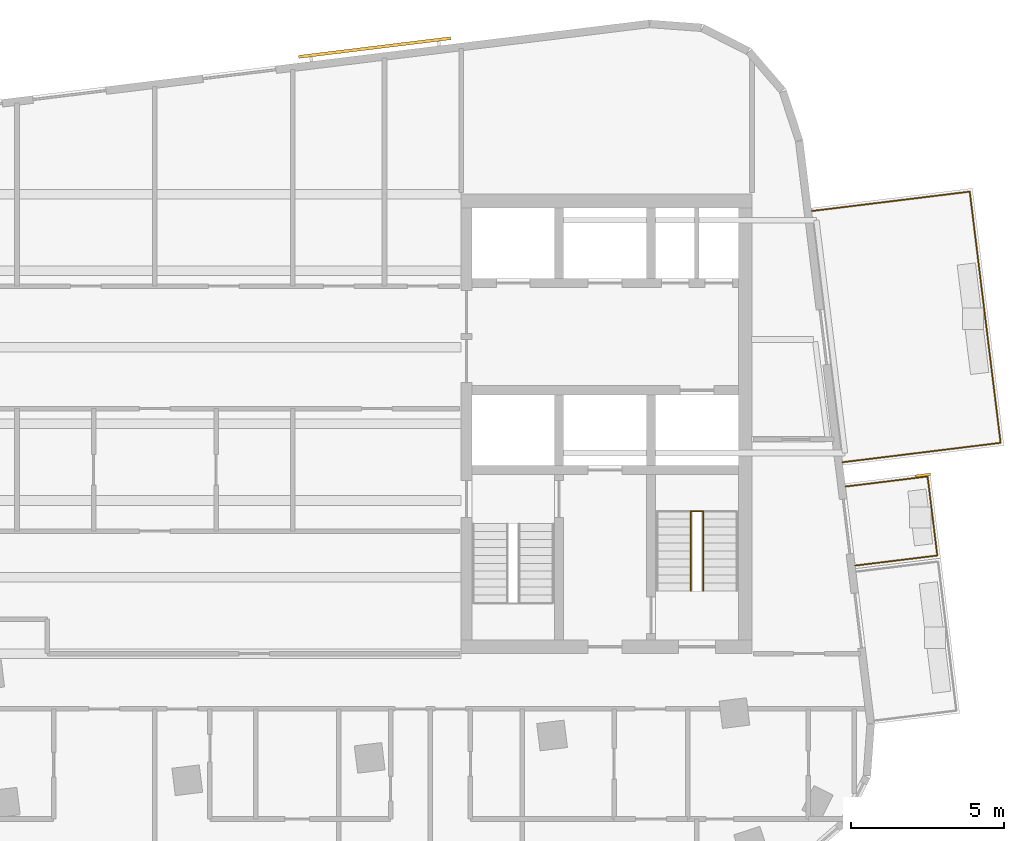
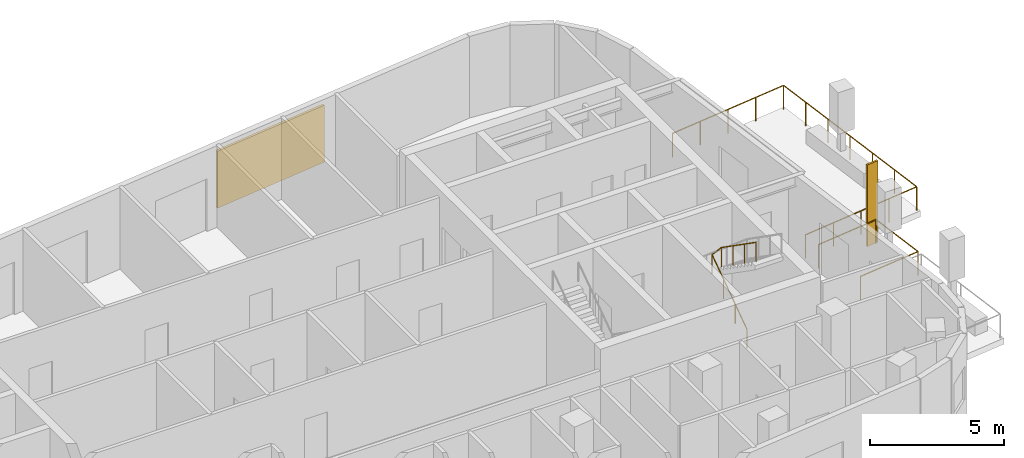
# One storey, part 10 of 11: 3 railings, 2 shading devices.
"""IFC4 building model written with IfcOpenShell, lengths in metres."""

from ifc_helpers import new_model, si_unit, direction, frame, origin, origin_2d, place, context, subcontext, project, spatial, rectangle, circle, extrude, material, layer, layer_set, type_object, element, save


model = new_model("IFC4")

# Units and contexts
model_context = context("Model", 3, precision=1e-05, world=origin(), true_north=direction((0.0, 1.0)))
body_context = subcontext(model_context, "Body", "Model", "MODEL_VIEW")
ifc_project = project(units=[si_unit("LENGTHUNIT", "METRE"), si_unit("AREAUNIT", "SQUARE_METRE"), si_unit("VOLUMEUNIT", "CUBIC_METRE"), si_unit("PLANEANGLEUNIT", "RADIAN"), si_unit("MASSUNIT", "GRAM", prefix="KILO")], contexts=[model_context])

# Site, building, storey
site_placement = place(None, origin())
site = spatial("IfcSite", under=ifc_project, at=site_placement, CompositionType="ELEMENT")
building_placement = place(site_placement, origin())
building = spatial("IfcBuilding", under=site, at=building_placement, Name="Torana Hotel and Residences", CompositionType="ELEMENT")
storey_placement = place(building_placement, frame((0.0, 0.0, 330.60009765625)))
storey = spatial("IfcBuildingStorey", under=building, at=storey_placement, Name="L87", CompositionType="ELEMENT", Elevation=330.60009765625)

# Shading device
ifc_material_1 = material(Name="Black powder coated aluminium", Category="aluminium")
ifc_layer_1 = layer(ifc_material_1, 0.080078125)
ifc_layer_set_1 = layer_set([ifc_layer_1], Name="FN1 VERTICAL FIN 500x80")
shading_device_type_1 = type_object("IfcShadingDeviceType", Name="FN1 VERTICAL FIN 500x80", PredefinedType="USERDEFINED", material=ifc_layer_set_1)
shading_device_1_placement = place(storey_placement, frame((25.075439453125, -9.17431640625, 0.0), z_axis=(0.0, 0.0, 1.0), x_axis=(0.121867611085, -0.992546364342, 0.0)))
element("IfcShadingDevice", 1, at=shading_device_1_placement, inside=storey, type_object=shading_device_type_1, Name="Fin 11", ObjectType="FIN", PredefinedType="USERDEFINED", context=body_context, shape_type="SweptSolid", body=[
    extrude(rectangle(XDim=0.080078125, YDim=0.5, at=origin_2d()), origin(), (0.0, 0.0, 1.0), 3.719970703125),
])

# Railings
ifc_material_2 = material(Name="Laminated glass balustrade with black handrail", Category="glass")
railing_type_1 = type_object("IfcRailingType", Name="GR1 BALCONY GUARD 1100 GLASS", PredefinedType="GUARDRAIL", material=ifc_material_2)
railing_1_placement = place(storey_placement, frame((22.5517578125, -9.544921875, 0.0)))
element("IfcRailing", 2, at=railing_1_placement, inside=storey, type_object=railing_type_1, Name="Balcony guard 11", PredefinedType="GUARDRAIL", context=body_context, shape_type="SweptSolid", body=[
    extrude(circle(Radius=0.02392578125, at=origin_2d()), frame((0.0, 0.0, 1.076171875), z_axis=(0.992544031017, 0.121886613265, 0.0), x_axis=(-0.121886613265, 0.992544031017, 0.0)), (0.0, 0.0, 1.0), 2.699951171875),
    extrude(circle(Radius=0.02392578125, at=origin_2d()), frame((2.679931640625, 0.3291015625, 1.076171875), z_axis=(0.121803653798, -0.992554215104, 0.0), x_axis=(0.992554215104, 0.121803653798, 0.0)), (0.0, 0.0, 1.0), 2.599609375),
    extrude(circle(Radius=0.02392578125, at=origin_2d()), frame((2.99658203125, -2.251220703125, 1.076171875), z_axis=(-0.992554965996, -0.121797534772, 0.0), x_axis=(0.121797534772, -0.992554965996, 0.0)), (0.0, 0.0, 1.0), 2.699951171875),
    extrude(circle(Radius=0.02099609375, at=origin_2d()), origin(), (0.0, 0.0, 1.0), 1.052001953125),
    extrude(circle(Radius=0.02099609375, at=origin_2d()), frame((2.679931640625, 0.3291015625, 0.0)), (0.0, 0.0, 1.0), 1.052001953125),
    extrude(circle(Radius=0.02099609375, at=origin_2d()), frame((2.99658203125, -2.251220703125, 0.0)), (0.0, 0.0, 1.0), 1.052001953125),
    extrude(circle(Radius=0.02099609375, at=origin_2d()), frame((0.316650390625, -2.580078125, 0.0)), (0.0, 0.0, 1.0), 1.052001953125),
])
railing_2_placement = place(storey_placement, frame((21.447265625, -0.54931640625, 0.0)))
element("IfcRailing", 3, at=railing_2_placement, inside=storey, type_object=railing_type_1, Name="Balcony guard 12", PredefinedType="GUARDRAIL", context=body_context, shape_type="SweptSolid", body=[
    extrude(circle(Radius=0.02392578125, at=origin_2d()), frame((0.0, 0.0, 1.076171875), z_axis=(0.992544252483, 0.121884809813, 0.0), x_axis=(-0.121884809813, 0.992544252483, 0.0)), (0.0, 0.0, 1.0), 5.199951171875),
    extrude(circle(Radius=0.02392578125, at=origin_2d()), frame((5.1611328125, 0.6337890625, 1.076171875), z_axis=(0.121878024543, -0.992545085693, 0.0), x_axis=(0.992545085693, 0.121878024543, 0.0)), (0.0, 0.0, 1.0), 8.262939453125),
    extrude(circle(Radius=0.02392578125, at=origin_2d()), frame((6.168212890625, -7.567626953125, 1.076171875), z_axis=(-0.992544949934, -0.121879130128, 0.0), x_axis=(0.121879130128, -0.992544949934, 0.0)), (0.0, 0.0, 1.0), 5.2001953125),
    extrude(circle(Radius=0.02099609375, at=origin_2d()), origin(), (0.0, 0.0, 1.0), 1.052001953125),
    extrude(circle(Radius=0.02099609375, at=origin_2d()), frame((1.290283203125, 0.158447265625, 0.0)), (0.0, 0.0, 1.0), 1.052001953125),
    extrude(circle(Radius=0.02099609375, at=origin_2d()), frame((2.58056640625, 0.31689453125, 0.0)), (0.0, 0.0, 1.0), 1.052001953125),
    extrude(circle(Radius=0.02099609375, at=origin_2d()), frame((3.870849609375, 0.475341796875, 0.0)), (0.0, 0.0, 1.0), 1.052001953125),
    extrude(circle(Radius=0.02099609375, at=origin_2d()), frame((5.1611328125, 0.6337890625, 0.0)), (0.0, 0.0, 1.0), 1.052001953125),
    extrude(circle(Radius=0.02099609375, at=origin_2d()), frame((5.3291015625, -0.733154296875, 0.0)), (0.0, 0.0, 1.0), 1.052001953125),
    extrude(circle(Radius=0.02099609375, at=origin_2d()), frame((5.496826171875, -2.10009765625, 0.0)), (0.0, 0.0, 1.0), 1.052001953125),
    extrude(circle(Radius=0.02099609375, at=origin_2d()), frame((5.66455078125, -3.466796875, 0.0)), (0.0, 0.0, 1.0), 1.052001953125),
    extrude(circle(Radius=0.02099609375, at=origin_2d()), frame((5.83251953125, -4.833740234375, 0.0)), (0.0, 0.0, 1.0), 1.052001953125),
    extrude(circle(Radius=0.02099609375, at=origin_2d()), frame((6.00048828125, -6.20068359375, 0.0)), (0.0, 0.0, 1.0), 1.052001953125),
    extrude(circle(Radius=0.02099609375, at=origin_2d()), frame((6.168212890625, -7.567626953125, 0.0)), (0.0, 0.0, 1.0), 1.052001953125),
    extrude(circle(Radius=0.02099609375, at=origin_2d()), frame((4.8779296875, -7.72607421875, 0.0)), (0.0, 0.0, 1.0), 1.052001953125),
    extrude(circle(Radius=0.02099609375, at=origin_2d()), frame((3.58740234375, -7.884521484375, 0.0)), (0.0, 0.0, 1.0), 1.052001953125),
    extrude(circle(Radius=0.02099609375, at=origin_2d()), frame((2.297119140625, -8.04296875, 0.0)), (0.0, 0.0, 1.0), 1.052001953125),
    extrude(circle(Radius=0.02099609375, at=origin_2d()), frame((1.0068359375, -8.201416015625, 0.0)), (0.0, 0.0, 1.0), 1.052001953125),
])

# Shading device
ifc_material_3 = material(Name="Concrete C40/50 precast", Category="concrete")
ifc_layer_2 = layer(ifc_material_3, 0.10009765625)
ifc_layer_set_2 = layer_set([ifc_layer_2], Name="SC1 PERFORATED BLOCK SCREEN PANEL 100")
shading_device_type_2 = type_object("IfcShadingDeviceType", Name="SC1 PERFORATED BLOCK SCREEN PANEL 100", PredefinedType="USERDEFINED", material=ifc_layer_set_2)
shading_device_2_placement = place(storey_placement, frame((7.177978515625, 4.788818359375, 0.499755859375), z_axis=(0.0, 0.0, 1.0), x_axis=(-0.99254657704, -0.121865878765, 0.0)))
element("IfcShadingDevice", 4, at=shading_device_2_placement, inside=storey, type_object=shading_device_type_2, Name="Perforated block screen L87", ObjectType="SCREEN", PredefinedType="USERDEFINED", context=body_context, shape_type="SweptSolid", body=[
    extrude(rectangle(XDim=5.0, YDim=0.10009765625, at=origin_2d()), origin(), (0.0, 0.0, 1.0), 2.60009765625),
])

# Railing
ifc_material_4 = material(Name="Stainless steel 316", Category="steel")
railing_type_2 = type_object("IfcRailingType", Name="STAIR HANDRAIL HR1 900", PredefinedType="HANDRAIL", material=ifc_material_4)
railing_3_placement = place(storey_placement, frame((17.5, -12.949951171875, 0.181640625)))
element("IfcRailing", 5, at=railing_3_placement, inside=storey, type_object=railing_type_2, Name="Handrail ST4 L87 I1", PredefinedType="HANDRAIL", context=body_context, shape_type="SweptSolid", body=[
    extrude(circle(Radius=0.02392578125, at=origin_2d()), frame((0.0, 0.0, 0.8759765625), z_axis=(0.0, 0.819459612548, 0.573136932506), x_axis=(-1.0, 0.0, 0.0)), (0.0, 0.0, 1.0), 3.172607421875),
    extrude(circle(Radius=0.02392578125, at=origin_2d()), frame((0.0, 2.599853515625, 2.6943359375), z_axis=(0.910480658332, 0.0, 0.413551654334), x_axis=(0.0, 1.0, 0.0)), (0.0, 0.0, 1.0), 0.439208984375),
    extrude(circle(Radius=0.02392578125, at=origin_2d()), frame((0.39990234375, 2.599853515625, 2.8759765625), z_axis=(0.0, -0.819459612548, 0.573136932506), x_axis=(1.0, 0.0, 0.0)), (0.0, 0.0, 1.0), 3.172607421875),
    extrude(circle(Radius=0.02099609375, at=origin_2d()), origin(), (0.0, 0.0, 1.0), 0.851806640625),
    extrude(circle(Radius=0.02099609375, at=origin_2d()), frame((0.0, 0.86669921875, 0.606201171875)), (0.0, 0.0, 1.0), 0.851806640625),
    extrude(circle(Radius=0.02099609375, at=origin_2d()), frame((0.0, 1.733154296875, 1.212158203125)), (0.0, 0.0, 1.0), 0.851806640625),
    extrude(circle(Radius=0.02099609375, at=origin_2d()), frame((0.0, 2.599853515625, 1.818359375)), (0.0, 0.0, 1.0), 0.851806640625),
    extrude(circle(Radius=0.02099609375, at=origin_2d()), frame((0.39990234375, 2.599853515625, 2.0)), (0.0, 0.0, 1.0), 0.851806640625),
    extrude(circle(Radius=0.02099609375, at=origin_2d()), frame((0.39990234375, 1.733154296875, 2.606201171875)), (0.0, 0.0, 1.0), 0.851806640625),
    extrude(circle(Radius=0.02099609375, at=origin_2d()), frame((0.39990234375, 0.86669921875, 3.212158203125)), (0.0, 0.0, 1.0), 0.851806640625),
    extrude(circle(Radius=0.02099609375, at=origin_2d()), frame((0.39990234375, 0.0, 3.818359375)), (0.0, 0.0, 1.0), 0.851806640625),
])

save(model, "model.ifc")
